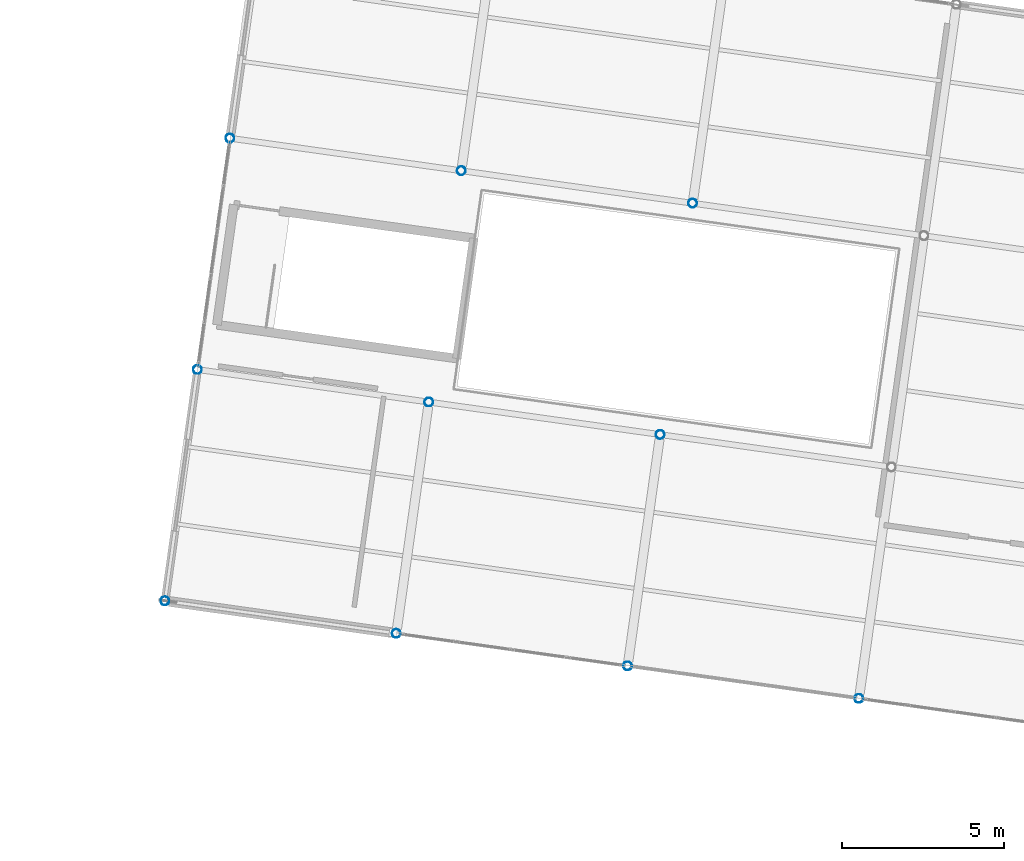
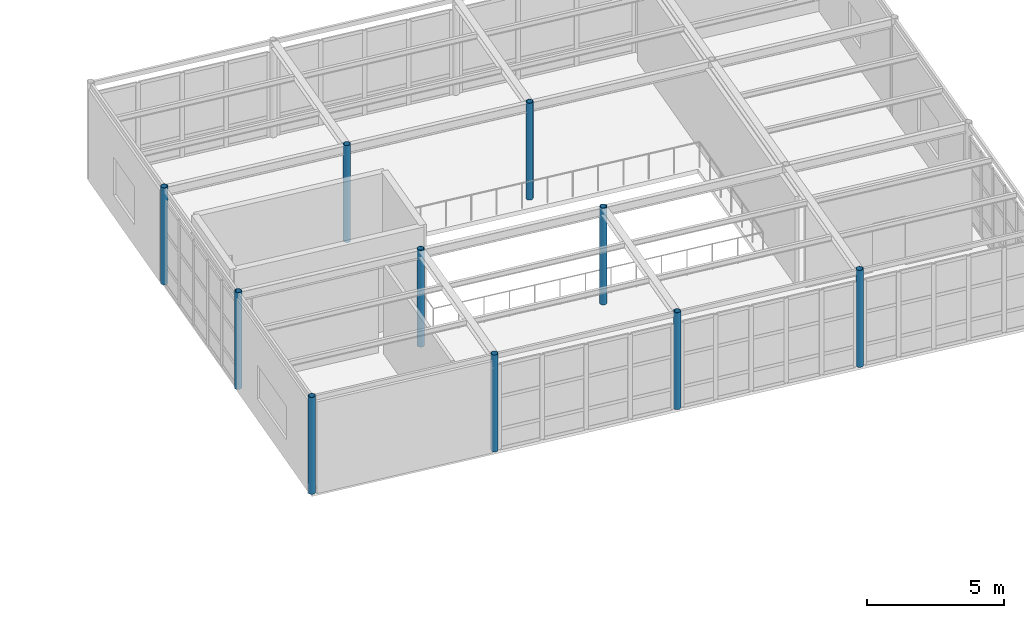
# One storey, part 2 of 67: 10 columns.
"""IFC4 building model written with IfcOpenShell, lengths in metres."""

from ifc_helpers import new_model, si_unit, direction, frame, origin, origin_2d, place, context, subcontext, project, spatial, hollow_circle, extrude, material, material_profile, profile_set, type_object, element, save


model = new_model("IFC4")

# Units and contexts
model_context = context("Model", 3, precision=1e-05, world=origin(), true_north=direction((0.0, 1.0)))
body_context = subcontext(model_context, "Body", "Model", "MODEL_VIEW")
ifc_project = project(units=[si_unit("LENGTHUNIT", "METRE"), si_unit("AREAUNIT", "SQUARE_METRE"), si_unit("VOLUMEUNIT", "CUBIC_METRE"), si_unit("PLANEANGLEUNIT", "RADIAN"), si_unit("MASSUNIT", "GRAM", prefix="KILO")], contexts=[model_context])

# Site, building, storey
site_placement = place(None, origin())
site = spatial("IfcSite", under=ifc_project, at=site_placement, CompositionType="ELEMENT")
building_placement = place(site_placement, origin())
building = spatial("IfcBuilding", under=site, at=building_placement, Name="Kharisveld Research Institute", CompositionType="ELEMENT")
storey_placement = place(building_placement, frame((0.0, 0.0, 9.60009765625)))
storey = spatial("IfcBuildingStorey", under=building, at=storey_placement, Name="L02", CompositionType="ELEMENT", Elevation=9.60009765625)

# Columns
ifc_material = material(Name="Steel S355J2H", Category="steel")
ifc_material_profile = material_profile(ifc_material, hollow_circle(Radius=0.136474609375, WallThickness=0.010009765625, at=origin_2d()))
ifc_profile_set = profile_set([ifc_material_profile], Name="Steel S355J2H")
column_type = type_object("IfcColumnType", Name="COL_ST_CHS273", PredefinedType="COLUMN", material=ifc_profile_set)
for number, where, z_axis, x_axis, name in (
    (1, (75.0, 17.5, 0.0), (0.0, 0.0, 1.0), (0.990268068742, -0.13917310096, 0.0), "COL:V4:L02:U0V0"),
    (2, (76.001953125, 24.6298828125, 0.0), (0.0, 0.0, 1.0), (0.990268068742, -0.13917310096, 0.0), "COL:V4:L02:U0V1"),
    (3, (77.004150390625, 31.759765625, 0.0), (0.0, 0.0, 1.0), (0.990268068742, -0.13917310096, 0.0), "COL:V4:L02:U0V2"),
    (4, (82.1298828125, 16.498046875, 0.0), (0.0, 0.0, 1.0), (0.990268068742, -0.13917310096, 0.0), "COL:V4:L02:U1V0"),
    (5, (83.132080078125, 23.6279296875, 0.0), (0.0, 0.0, 1.0), (0.990268068742, -0.13917310096, 0.0), "COL:V4:L02:U1V1"),
    (6, (84.134033203125, 30.7578125, 0.0), (0.0, 0.0, 1.0), (0.990268068742, -0.13917310096, 0.0), "COL:V4:L02:U1V2"),
    (7, (89.259765625, 15.495849609375, 0.0), (0.0, 0.0, 1.0), (0.990268068742, -0.13917310096, 0.0), "COL:V4:L02:U2V0"),
    (8, (90.261962890625, 22.625732421875, 0.0), (0.0, 0.0, 1.0), (0.990268068742, -0.13917310096, 0.0), "COL:V4:L02:U2V1"),
    (9, (91.263916015625, 29.755859375, 0.0), (0.0, 0.0, 1.0), (0.990268068742, -0.13917310096, 0.0), "COL:V4:L02:U2V2"),
    (10, (96.389892578125, 14.493896484375, 0.0), (0.0, 0.0, 1.0), (0.990268068742, -0.13917310096, 0.0), "COL:V4:L02:U3V0"),
):
    element("IfcColumn", number, at=place(storey_placement, frame(where, z_axis=z_axis, x_axis=x_axis)), inside=storey, type_object=column_type, Name=name, PredefinedType="COLUMN", context=body_context, shape_type="SweptSolid", body=[
        extrude(hollow_circle(Radius=0.136474609375, WallThickness=0.010009765625, at=origin_2d()), origin(), (0.0, 0.0, 1.0), 4.324951171875),
    ])

save(model, "model.ifc")
